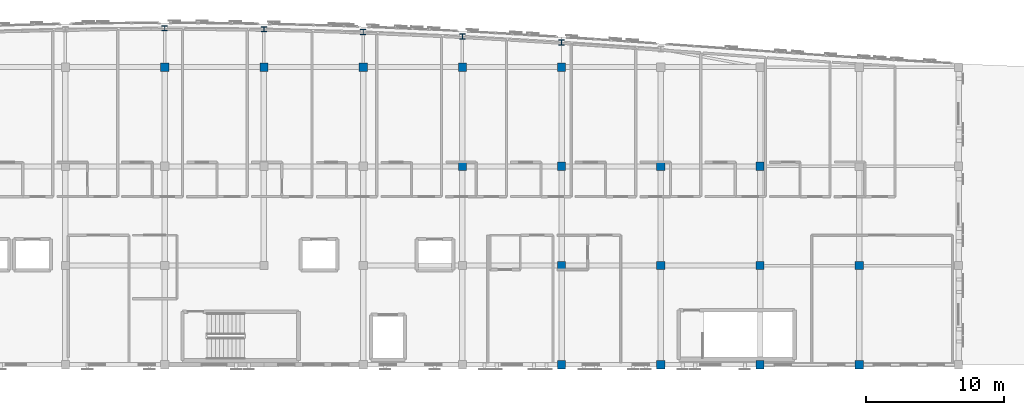
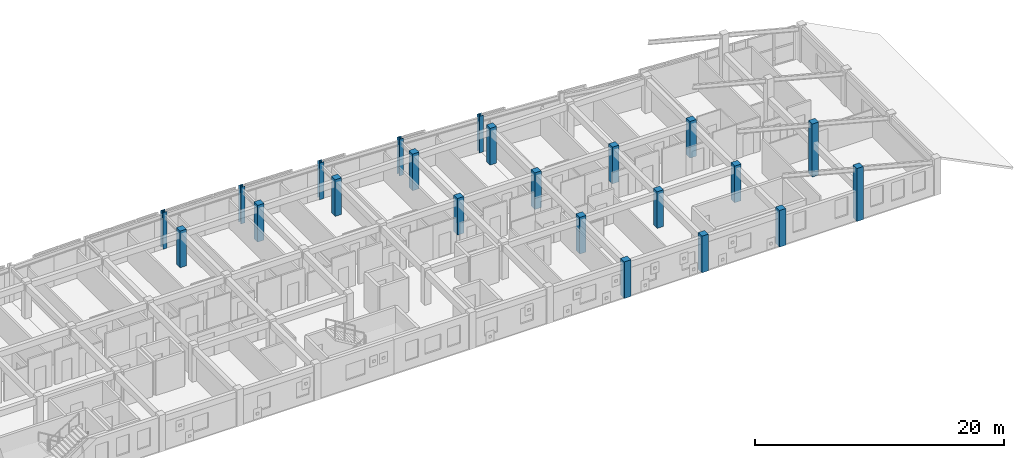
# One storey, part 3 of 45: 22 columns.
"""IFC4 building model written with IfcOpenShell, lengths in metres."""

from ifc_helpers import new_model, si_unit, direction, frame, origin, origin_2d, place, context, subcontext, project, spatial, rectangle, i_section, extrude, material, material_profile, profile_set, type_object, element, save


model = new_model("IFC4")

# Units and contexts
model_context = context("Model", 3, precision=1e-05, world=origin(), true_north=direction((0.0, 1.0)))
body_context = subcontext(model_context, "Body", "Model", "MODEL_VIEW")
ifc_project = project(units=[si_unit("LENGTHUNIT", "METRE"), si_unit("AREAUNIT", "SQUARE_METRE"), si_unit("VOLUMEUNIT", "CUBIC_METRE"), si_unit("PLANEANGLEUNIT", "RADIAN"), si_unit("MASSUNIT", "GRAM", prefix="KILO")], contexts=[model_context])

# Site, building, storey
site_placement = place(None, origin())
site = spatial("IfcSite", under=ifc_project, at=site_placement, CompositionType="ELEMENT")
building_placement = place(site_placement, origin())
building = spatial("IfcBuilding", under=site, at=building_placement, Name="Carrowvane Square Congress Hotel", CompositionType="ELEMENT")
storey_placement = place(building_placement, frame((0.0, 0.0, 33.60009765625)))
storey = spatial("IfcBuildingStorey", under=building, at=storey_placement, Name="L08", CompositionType="ELEMENT", Elevation=33.60009765625)

# Columns
ifc_material_1 = material(Name="Concrete C40/50", Category="concrete")
ifc_material_profile_1 = material_profile(ifc_material_1, rectangle(XDim=0.60009765625, YDim=0.60009765625, at=origin_2d()), Name="RC 600x600")
ifc_profile_set_1 = profile_set([ifc_material_profile_1], Name="Concrete C40/50")
column_type_1 = type_object("IfcColumnType", Name="COL-RC-600", PredefinedType="COLUMN", material=ifc_profile_set_1)
for number, where, z_axis, x_axis, name in (
    (1, (98.0, 113.39990234375, 0.0), (0.0, 0.0, 1.0), (1.0, 0.0, 0.0), "L08 column 13/R"),
    (2, (105.199951171875, 113.39990234375, 0.0), (0.0, 0.0, 1.0), (1.0, 0.0, 0.0), "L08 column 14/R"),
    (3, (112.39990234375, 113.39990234375, 0.0), (0.0, 0.0, 1.0), (1.0, 0.0, 0.0), "L08 column 15/R"),
    (4, (119.60009765625, 106.199951171875, 0.0), (0.0, 0.0, 1.0), (1.0, 0.0, 0.0), "L08 column 16/Q"),
    (5, (119.60009765625, 113.39990234375, 0.0), (0.0, 0.0, 1.0), (1.0, 0.0, 0.0), "L08 column 16/R"),
    (6, (126.800048828125, 91.800048828125, 0.0), (0.0, 0.0, 1.0), (1.0, 0.0, 0.0), "L08 column 17/N"),
    (7, (126.800048828125, 99.0, 0.0), (0.0, 0.0, 1.0), (1.0, 0.0, 0.0), "L08 column 17/P"),
    (8, (126.800048828125, 106.199951171875, 0.0), (0.0, 0.0, 1.0), (1.0, 0.0, 0.0), "L08 column 17/Q"),
    (9, (126.800048828125, 113.39990234375, 0.0), (0.0, 0.0, 1.0), (1.0, 0.0, 0.0), "L08 column 17/R"),
    (10, (134.0, 91.800048828125, 0.0), (0.0, 0.0, 1.0), (1.0, 0.0, 0.0), "L08 column 18/N"),
    (11, (134.0, 99.0, 0.0), (0.0, 0.0, 1.0), (1.0, 0.0, 0.0), "L08 column 18/P"),
    (12, (134.0, 106.199951171875, 0.0), (0.0, 0.0, 1.0), (1.0, 0.0, 0.0), "L08 column 18/Q"),
    (13, (141.199951171875, 91.800048828125, 0.0), (0.0, 0.0, 1.0), (1.0, 0.0, 0.0), "L08 column 19/N"),
    (14, (141.199951171875, 99.0, 0.0), (0.0, 0.0, 1.0), (1.0, 0.0, 0.0), "L08 column 19/P"),
    (15, (141.199951171875, 106.199951171875, 0.0), (0.0, 0.0, 1.0), (1.0, 0.0, 0.0), "L08 column 19/Q"),
):
    element("IfcColumn", number, at=place(storey_placement, frame(where, z_axis=z_axis, x_axis=x_axis)), inside=storey, type_object=column_type_1, Name=name, PredefinedType="COLUMN", context=body_context, shape_type="SweptSolid", body=[
        extrude(rectangle(XDim=0.60009765625, YDim=0.60009765625, at=origin_2d()), origin(), (0.0, 0.0, 1.0), 3.599853515625),
    ])
for number, where, z_axis, x_axis, name in (
    (16, (148.39990234375, 91.800048828125, 0.0), (0.0, 0.0, 1.0), (1.0, 0.0, 0.0), "L08 column 20/N"),
    (17, (148.39990234375, 99.0, 0.0), (0.0, 0.0, 1.0), (1.0, 0.0, 0.0), "L08 column 20/P"),
):
    element("IfcColumn", number, at=place(storey_placement, frame(where, z_axis=z_axis, x_axis=x_axis)), inside=storey, type_object=column_type_1, Name=name, PredefinedType="COLUMN", context=body_context, shape_type="SweptSolid", body=[
        extrude(rectangle(XDim=0.60009765625, YDim=0.60009765625, at=origin_2d()), origin(), (0.0, 0.0, 1.0), 5.199951171875),
    ])
ifc_material_2 = material(Name="Steel S355", Category="steel")
ifc_material_profile_2 = material_profile(ifc_material_2, i_section(OverallWidth=0.394775390625, OverallDepth=0.381103515625, WebThickness=0.018310546875, FlangeThickness=0.0302734375, FilletRadius=0.01513671875, at=origin_2d()), Name="UKC 356x406x235")
ifc_profile_set_2 = profile_set([ifc_material_profile_2], Name="Steel S355")
column_type_2 = type_object("IfcColumnType", Name="COL-ST-UKC406", PredefinedType="COLUMN", material=ifc_profile_set_2)
for number, where, z_axis, x_axis, name in (
    (18, (98.0, 116.219970703125, 0.0), (0.0, 0.0, 1.0), (1.0, 0.0, 0.0), "L08 column 13/ARC"),
    (19, (105.199951171875, 116.14990234375, 0.0), (0.0, 0.0, 1.0), (1.0, 0.0, 0.0), "L08 column 14/ARC"),
    (20, (112.39990234375, 115.944091796875, 0.0), (0.0, 0.0, 1.0), (1.0, 0.0, 0.0), "L08 column 15/ARC"),
    (21, (119.60009765625, 115.61767578125, 0.0), (0.0, 0.0, 1.0), (1.0, 0.0, 0.0), "L08 column 16/ARC"),
    (22, (126.800048828125, 115.1943359375, 0.0), (0.0, 0.0, 1.0), (1.0, 0.0, 0.0), "L08 column 17/ARC"),
):
    element("IfcColumn", number, at=place(storey_placement, frame(where, z_axis=z_axis, x_axis=x_axis)), inside=storey, type_object=column_type_2, Name=name, PredefinedType="COLUMN", context=body_context, shape_type="SweptSolid", body=[
        extrude(i_section(OverallWidth=0.394775390625, OverallDepth=0.381103515625, WebThickness=0.018310546875, FlangeThickness=0.0302734375, FilletRadius=0.01513671875, at=origin_2d()), origin(), (0.0, 0.0, 1.0), 3.599853515625),
    ])

save(model, "model.ifc")
